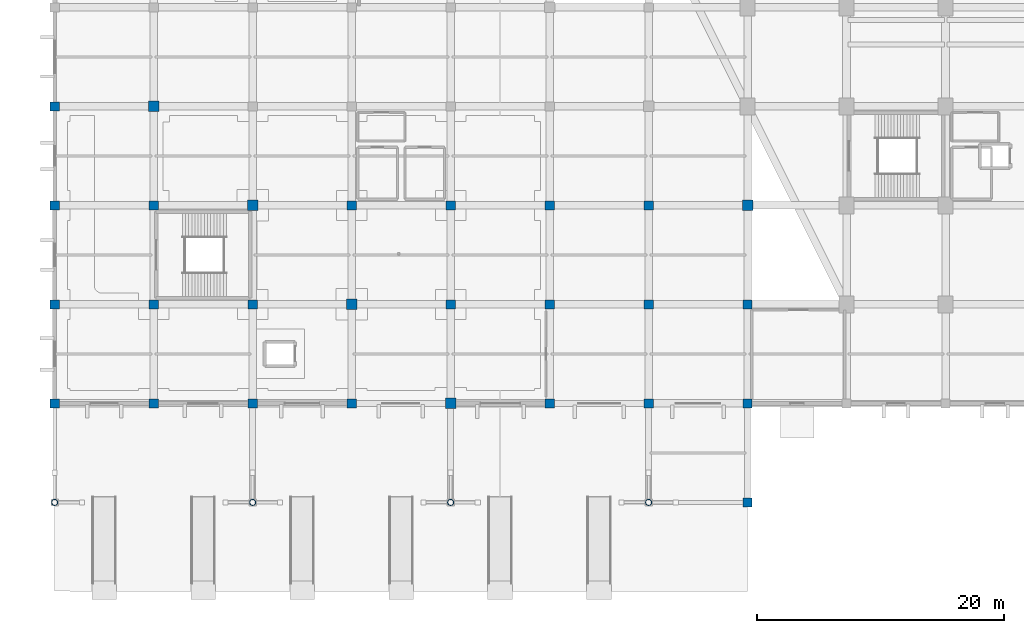
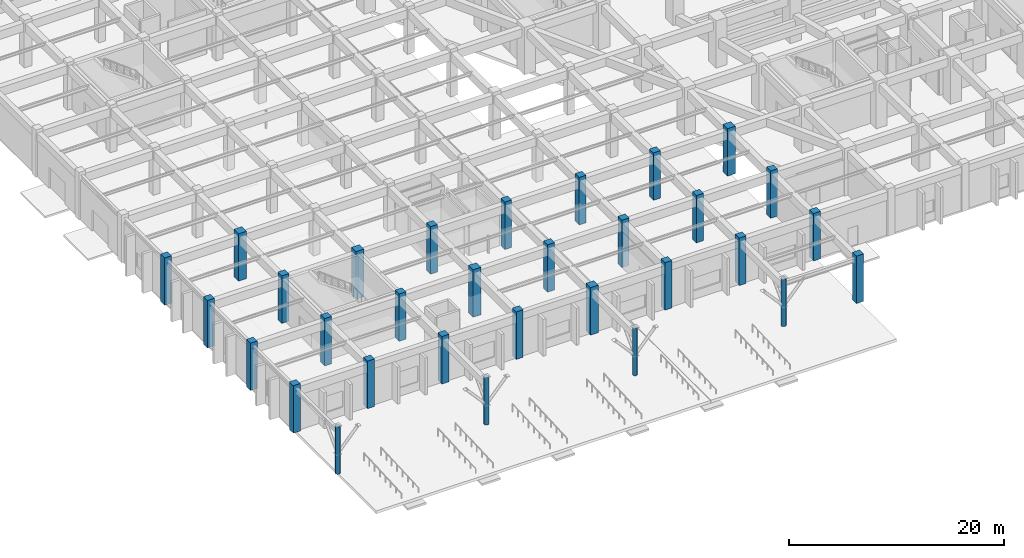
# One storey, part 1 of 39: 31 columns.
"""IFC4 building model written with IfcOpenShell, lengths in metres."""

from ifc_helpers import new_model, si_unit, direction, frame, origin, origin_2d, place, context, subcontext, project, spatial, rectangle, hollow_circle, extrude, material, material_profile, profile_set, type_object, element, save


model = new_model("IFC4")

# Units and contexts
model_context = context("Model", 3, precision=1e-05, world=origin(), true_north=direction((0.0, 1.0)))
body_context = subcontext(model_context, "Body", "Model", "MODEL_VIEW")
ifc_project = project(units=[si_unit("LENGTHUNIT", "METRE"), si_unit("AREAUNIT", "SQUARE_METRE"), si_unit("VOLUMEUNIT", "CUBIC_METRE"), si_unit("PLANEANGLEUNIT", "RADIAN"), si_unit("MASSUNIT", "GRAM", prefix="KILO")], contexts=[model_context])

# Site, building, storey
site_placement = place(None, origin())
site = spatial("IfcSite", under=ifc_project, at=site_placement, CompositionType="ELEMENT")
building_placement = place(site_placement, origin())
building = spatial("IfcBuilding", under=site, at=building_placement, Name="Tazarka Park Arena", CompositionType="ELEMENT")
storey_placement = place(building_placement, origin())
storey = spatial("IfcBuildingStorey", under=building, at=storey_placement, Name="L00", CompositionType="ELEMENT", Elevation=0.0)

# Columns
ifc_material_1 = material(Name="Concrete C40/50", Category="concrete")
ifc_material_profile_1 = material_profile(ifc_material_1, rectangle(XDim=0.75, YDim=0.75, at=origin_2d()), Name="Concrete C40/50")
ifc_profile_set_1 = profile_set([ifc_material_profile_1], Name="Concrete C40/50")
column_type_1 = type_object("IfcColumnType", Name="COL-C-02", PredefinedType="COLUMN", material=ifc_profile_set_1)
for number, where, z_axis, x_axis, name in (
    (1, (8.0, 16.0, 0.0), (0.0, 0.0, 1.0), (1.0, 0.0, 0.0), "CLM-L00-01-02"),
    (2, (8.0, 24.0, 0.0), (0.0, 0.0, 1.0), (1.0, 0.0, 0.0), "CLM-L00-01-03"),
    (3, (16.0, 8.0, 0.0), (0.0, 0.0, 1.0), (1.0, 0.0, 0.0), "CLM-L00-02-01"),
    (4, (16.0, 16.0, 0.0), (0.0, 0.0, 1.0), (1.0, 0.0, 0.0), "CLM-L00-02-02"),
    (5, (24.0, 24.0, 0.0), (0.0, 0.0, 1.0), (1.0, 0.0, 0.0), "CLM-L00-03-03"),
    (6, (32.0, 16.0, 0.0), (0.0, 0.0, 1.0), (1.0, 0.0, 0.0), "CLM-L00-04-02"),
    (7, (32.0, 24.0, 0.0), (0.0, 0.0, 1.0), (1.0, 0.0, 0.0), "CLM-L00-04-03"),
    (8, (40.0, 16.0, 0.0), (0.0, 0.0, 1.0), (1.0, 0.0, 0.0), "CLM-L00-05-02"),
    (9, (40.0, 24.0, 0.0), (0.0, 0.0, 1.0), (1.0, 0.0, 0.0), "CLM-L00-05-03"),
    (10, (48.0, 8.0, 0.0), (0.0, 0.0, 1.0), (1.0, 0.0, 0.0), "CLM-L00-06-01"),
    (11, (48.0, 16.0, 0.0), (0.0, 0.0, 1.0), (1.0, 0.0, 0.0), "CLM-L00-06-02"),
    (12, (48.0, 24.0, 0.0), (0.0, 0.0, 1.0), (1.0, 0.0, 0.0), "CLM-L00-06-03"),
    (13, (56.0, 8.0, 0.0), (0.0, 0.0, 1.0), (1.0, 0.0, 0.0), "CLM-L00-07-01"),
    (14, (56.0, 16.0, 0.0), (0.0, 0.0, 1.0), (1.0, 0.0, 0.0), "CLM-L00-07-02"),
):
    element("IfcColumn", number, at=place(storey_placement, frame(where, z_axis=z_axis, x_axis=x_axis)), inside=storey, type_object=column_type_1, Name=name, PredefinedType="COLUMN", context=body_context, shape_type="SweptSolid", body=[
        extrude(rectangle(XDim=0.75, YDim=0.75, at=origin_2d()), origin(), (0.0, 0.0, 1.0), 5.39990234375),
    ])
ifc_material_2 = material(Name="Concrete C40/50", Category="concrete")
ifc_material_profile_2 = material_profile(ifc_material_2, rectangle(XDim=0.75, YDim=0.75, at=origin_2d()), Name="Concrete C40/50")
ifc_profile_set_2 = profile_set([ifc_material_profile_2], Name="Concrete C40/50")
column_type_2 = type_object("IfcColumnType", Name="COL-C-06", PredefinedType="COLUMN", material=ifc_profile_set_2)
for number, where, z_axis, x_axis, name in (
    (15, (0.0, 8.0, 0.0), (0.0, 0.0, 1.0), (1.0, 0.0, 0.0), "CLM-L00-00-01"),
    (16, (0.0, 16.0, 0.0), (0.0, 0.0, 1.0), (1.0, 0.0, 0.0), "CLM-L00-00-02"),
    (17, (0.0, 24.0, 0.0), (0.0, 0.0, 1.0), (1.0, 0.0, 0.0), "CLM-L00-00-03"),
    (18, (0.0, 32.0, 0.0), (0.0, 0.0, 1.0), (1.0, 0.0, 0.0), "CLM-L00-00-04"),
    (19, (8.0, 8.0, 0.0), (0.0, 0.0, 1.0), (1.0, 0.0, 0.0), "CLM-L00-01-01"),
    (20, (24.0, 8.0, 0.0), (0.0, 0.0, 1.0), (1.0, 0.0, 0.0), "CLM-L00-03-01"),
    (21, (40.0, 8.0, 0.0), (0.0, 0.0, 1.0), (1.0, 0.0, 0.0), "CLM-L00-05-01"),
    (22, (56.0, 0.0, 0.0), (0.0, 0.0, 1.0), (1.0, 0.0, 0.0), "CLM-L00-07-00"),
):
    element("IfcColumn", number, at=place(storey_placement, frame(where, z_axis=z_axis, x_axis=x_axis)), inside=storey, type_object=column_type_2, Name=name, PredefinedType="COLUMN", context=body_context, shape_type="SweptSolid", body=[
        extrude(rectangle(XDim=0.75, YDim=0.75, at=origin_2d()), origin(), (0.0, 0.0, 1.0), 5.39990234375),
    ])
ifc_material_3 = material(Name="Concrete C40/50", Category="concrete")
ifc_material_profile_3 = material_profile(ifc_material_3, rectangle(XDim=0.85009765625, YDim=0.85009765625, at=origin_2d()), Name="Concrete C40/50")
ifc_profile_set_3 = profile_set([ifc_material_profile_3], Name="Concrete C40/50")
column_type_3 = type_object("IfcColumnType", Name="COL-C-10", PredefinedType="COLUMN", material=ifc_profile_set_3)
for number, where, z_axis, x_axis, name in (
    (23, (8.0, 32.0, 0.0), (0.0, 0.0, 1.0), (1.0, 0.0, 0.0), "CLM-L00-01-04"),
    (24, (16.0, 24.0, 0.0), (0.0, 0.0, 1.0), (1.0, 0.0, 0.0), "CLM-L00-02-03"),
    (25, (24.0, 16.0, 0.0), (0.0, 0.0, 1.0), (1.0, 0.0, 0.0), "CLM-L00-03-02"),
    (26, (32.0, 8.0, 0.0), (0.0, 0.0, 1.0), (1.0, 0.0, 0.0), "CLM-L00-04-01"),
    (27, (56.0, 24.0, 0.0), (0.0, 0.0, 1.0), (1.0, 0.0, 0.0), "CLM-L00-07-03"),
):
    element("IfcColumn", number, at=place(storey_placement, frame(where, z_axis=z_axis, x_axis=x_axis)), inside=storey, type_object=column_type_3, Name=name, PredefinedType="COLUMN", context=body_context, shape_type="SweptSolid", body=[
        extrude(rectangle(XDim=0.85009765625, YDim=0.85009765625, at=origin_2d()), origin(), (0.0, 0.0, 1.0), 5.39990234375),
    ])
ifc_material_4 = material(Name="Steel S355", Category="steel")
ifc_material_profile_4 = material_profile(ifc_material_4, hollow_circle(Radius=0.25390625, WallThickness=0.02490234375, at=origin_2d()), Name="Steel S355")
ifc_profile_set_4 = profile_set([ifc_material_profile_4], Name="Steel S355")
column_type_4 = type_object("IfcColumnType", Name="COL-SC-05", PredefinedType="COLUMN", material=ifc_profile_set_4)
for number, where, z_axis, x_axis, name in (
    (28, (0.0, 0.0, 0.0), (0.0, 0.0, 1.0), (1.0, 0.0, 0.0), "CLM-L00-00-00"),
    (29, (16.0, 0.0, 0.0), (0.0, 0.0, 1.0), (1.0, 0.0, 0.0), "CLM-L00-02-00"),
    (30, (32.0, 0.0, 0.0), (0.0, 0.0, 1.0), (1.0, 0.0, 0.0), "CLM-L00-04-00"),
    (31, (48.0, 0.0, 0.0), (0.0, 0.0, 1.0), (1.0, 0.0, 0.0), "CLM-L00-06-00"),
):
    element("IfcColumn", number, at=place(storey_placement, frame(where, z_axis=z_axis, x_axis=x_axis)), inside=storey, type_object=column_type_4, Name=name, PredefinedType="COLUMN", context=body_context, shape_type="SweptSolid", body=[
        extrude(hollow_circle(Radius=0.25390625, WallThickness=0.02490234375, at=origin_2d()), origin(), (0.0, 0.0, 1.0), 5.39990234375),
    ])

save(model, "model.ifc")
